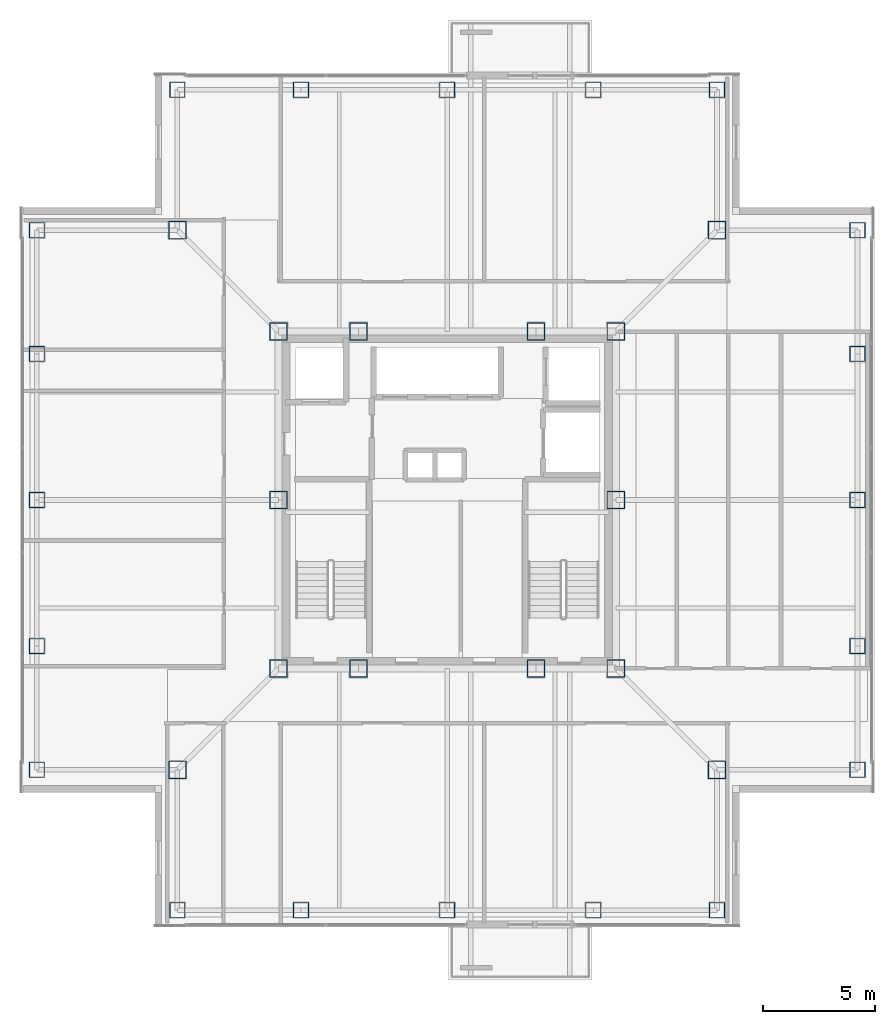
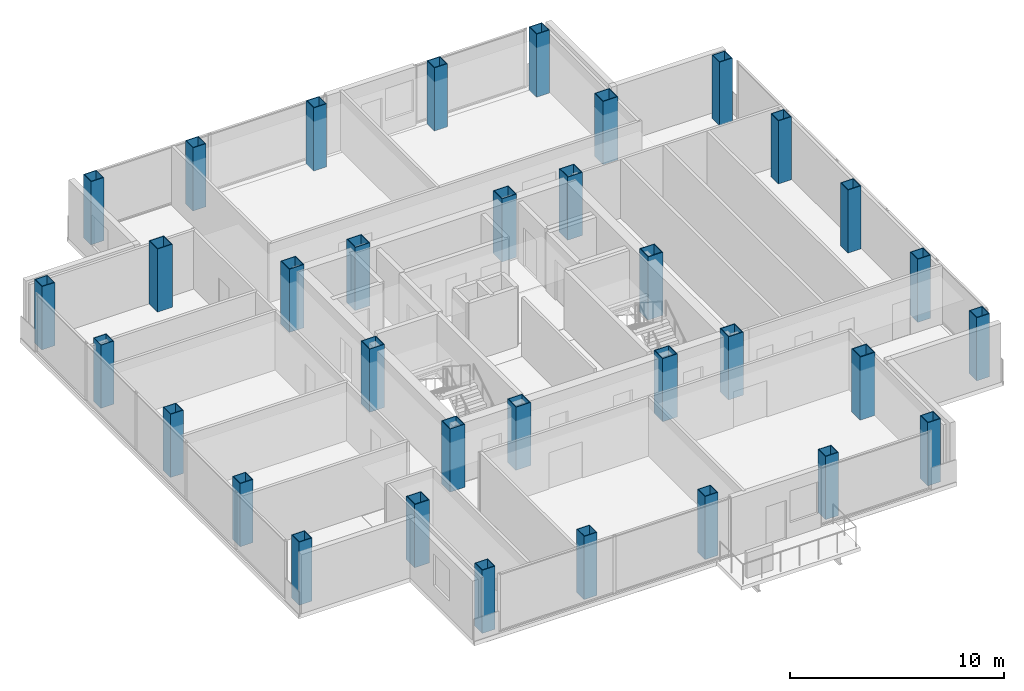
# One storey, part 1 of 15: 34 columns.
"""IFC4 building model written with IfcOpenShell, lengths in metres."""

from ifc_helpers import new_model, si_unit, direction, frame, origin, origin_2d, place, context, subcontext, project, spatial, hollow_rectangle, extrude, material, material_profile, profile_set, type_object, element, save


model = new_model("IFC4")

# Units and contexts
model_context = context("Model", 3, precision=1e-05, world=origin(), true_north=direction((0.0, 1.0)))
body_context = subcontext(model_context, "Body", "Model", "MODEL_VIEW")
ifc_project = project(units=[si_unit("LENGTHUNIT", "METRE"), si_unit("AREAUNIT", "SQUARE_METRE"), si_unit("VOLUMEUNIT", "CUBIC_METRE"), si_unit("PLANEANGLEUNIT", "RADIAN"), si_unit("MASSUNIT", "GRAM", prefix="KILO")], contexts=[model_context])

# Site, building, storey
site_placement = place(None, origin())
site = spatial("IfcSite", under=ifc_project, at=site_placement, CompositionType="ELEMENT")
building_placement = place(site_placement, origin())
building = spatial("IfcBuilding", under=site, at=building_placement, Name="Trevonay Congress Spire", CompositionType="ELEMENT")
storey_placement = place(building_placement, frame((0.0, 0.0, 275.60009765625)))
storey = spatial("IfcBuildingStorey", under=building, at=storey_placement, Name="L72", CompositionType="ELEMENT", Elevation=275.60009765625)

# Columns
ifc_material = material(Name="Steel ASTM A572 Grade 50", Category="steel")
ifc_material_profile_1 = material_profile(ifc_material, hollow_rectangle(XDim=0.800048828125, YDim=0.800048828125, WallThickness=0.0400390625, at=origin_2d()), Name="BOX 800x800x40")
ifc_profile_set_1 = profile_set([ifc_material_profile_1], Name="Steel ASTM A572 Grade 50")
column_type_1 = type_object("IfcColumnType", Name="COL-CORE-BOX800", PredefinedType="COLUMN", material=ifc_profile_set_1)
for number, where, z_axis, x_axis, name in (
    (1, (-7.5, -7.5, 0.0), (0.0, 0.0, 1.0), (1.0, 0.0, 0.0), "L72 column C05 at CC-SW"),
    (2, (-3.949951171875, -7.5, 0.0), (0.0, 0.0, 1.0), (1.0, 0.0, 0.0), "L72 column C05 at CC-SMW"),
    (3, (3.949951171875, -7.5, 0.0), (0.0, 0.0, 1.0), (1.0, 0.0, 0.0), "L72 column C05 at CC-SME"),
    (4, (7.5, -7.5, 0.0), (0.0, 0.0, 1.0), (1.0, 0.0, 0.0), "L72 column C05 at CC-SE"),
    (5, (7.5, 0.0, 0.0), (0.0, 0.0, 1.0), (1.0, 0.0, 0.0), "L72 column C05 at CC-E"),
    (6, (7.5, 7.5, 0.0), (0.0, 0.0, 1.0), (1.0, 0.0, 0.0), "L72 column C05 at CC-NE"),
    (7, (3.949951171875, 7.5, 0.0), (0.0, 0.0, 1.0), (1.0, 0.0, 0.0), "L72 column C05 at CC-NME"),
    (8, (-3.949951171875, 7.5, 0.0), (0.0, 0.0, 1.0), (1.0, 0.0, 0.0), "L72 column C05 at CC-NMW"),
    (9, (-7.5, 7.5, 0.0), (0.0, 0.0, 1.0), (1.0, 0.0, 0.0), "L72 column C05 at CC-NW"),
    (10, (-7.5, 0.0, 0.0), (0.0, 0.0, 1.0), (1.0, 0.0, 0.0), "L72 column C05 at CC-W"),
):
    element("IfcColumn", number, at=place(storey_placement, frame(where, z_axis=z_axis, x_axis=x_axis)), inside=storey, type_object=column_type_1, Name=name, PredefinedType="COLUMN", context=body_context, shape_type="SweptSolid", body=[
        extrude(hollow_rectangle(XDim=0.800048828125, YDim=0.800048828125, WallThickness=0.0400390625, at=origin_2d()), origin(), (0.0, 0.0, 1.0), 3.599853515625),
    ])
ifc_material_profile_2 = material_profile(ifc_material, hollow_rectangle(XDim=0.699951171875, YDim=0.699951171875, WallThickness=0.034912109375, at=origin_2d()), Name="BOX 700x700x35")
ifc_profile_set_2 = profile_set([ifc_material_profile_2], Name="Steel ASTM A572 Grade 50")
column_type_2 = type_object("IfcColumnType", Name="COL-TUBE-BOX700", PredefinedType="COLUMN", material=ifc_profile_set_2)
for number, where, z_axis, x_axis, name in (
    (11, (-12.0, -18.25, 0.0), (0.0, 0.0, 1.0), (1.0, 0.0, 0.0), "L72 column C17 at TS-1"),
    (12, (-12.0, 18.25, 0.0), (0.0, 0.0, 1.0), (1.0, 0.0, 0.0), "L72 column C17 at TN-1"),
    (13, (-18.25, -12.0, 0.0), (0.0, 0.0, 1.0), (1.0, 0.0, 0.0), "L72 column C17 at TW-1"),
    (14, (18.25, -12.0, 0.0), (0.0, 0.0, 1.0), (1.0, 0.0, 0.0), "L72 column C17 at TE-1"),
    (15, (-6.5, -18.25, 0.0), (0.0, 0.0, 1.0), (1.0, 0.0, 0.0), "L72 column C17 at TS-2"),
    (16, (-6.5, 18.25, 0.0), (0.0, 0.0, 1.0), (1.0, 0.0, 0.0), "L72 column C17 at TN-2"),
    (17, (-18.25, -6.5, 0.0), (0.0, 0.0, 1.0), (1.0, 0.0, 0.0), "L72 column C17 at TW-2"),
    (18, (18.25, -6.5, 0.0), (0.0, 0.0, 1.0), (1.0, 0.0, 0.0), "L72 column C17 at TE-2"),
    (19, (0.0, -18.25, 0.0), (0.0, 0.0, 1.0), (1.0, 0.0, 0.0), "L72 column C17 at TS-3"),
    (20, (0.0, 18.25, 0.0), (0.0, 0.0, 1.0), (1.0, 0.0, 0.0), "L72 column C17 at TN-3"),
    (21, (-18.25, 0.0, 0.0), (0.0, 0.0, 1.0), (1.0, 0.0, 0.0), "L72 column C17 at TW-3"),
    (22, (18.25, 0.0, 0.0), (0.0, 0.0, 1.0), (1.0, 0.0, 0.0), "L72 column C17 at TE-3"),
    (23, (6.5, -18.25, 0.0), (0.0, 0.0, 1.0), (1.0, 0.0, 0.0), "L72 column C17 at TS-4"),
    (24, (6.5, 18.25, 0.0), (0.0, 0.0, 1.0), (1.0, 0.0, 0.0), "L72 column C17 at TN-4"),
    (25, (-18.25, 6.5, 0.0), (0.0, 0.0, 1.0), (1.0, 0.0, 0.0), "L72 column C17 at TW-4"),
    (26, (18.25, 6.5, 0.0), (0.0, 0.0, 1.0), (1.0, 0.0, 0.0), "L72 column C17 at TE-4"),
    (27, (12.0, -18.25, 0.0), (0.0, 0.0, 1.0), (1.0, 0.0, 0.0), "L72 column C17 at TS-5"),
    (28, (12.0, 18.25, 0.0), (0.0, 0.0, 1.0), (1.0, 0.0, 0.0), "L72 column C17 at TN-5"),
    (29, (-18.25, 12.0, 0.0), (0.0, 0.0, 1.0), (1.0, 0.0, 0.0), "L72 column C17 at TW-5"),
    (30, (18.25, 12.0, 0.0), (0.0, 0.0, 1.0), (1.0, 0.0, 0.0), "L72 column C17 at TE-5"),
):
    element("IfcColumn", number, at=place(storey_placement, frame(where, z_axis=z_axis, x_axis=x_axis)), inside=storey, type_object=column_type_2, Name=name, PredefinedType="COLUMN", context=body_context, shape_type="SweptSolid", body=[
        extrude(hollow_rectangle(XDim=0.699951171875, YDim=0.699951171875, WallThickness=0.034912109375, at=origin_2d()), origin(), (0.0, 0.0, 1.0), 3.599853515625),
    ])
ifc_material_profile_3 = material_profile(ifc_material, hollow_rectangle(XDim=0.800048828125, YDim=0.800048828125, WallThickness=0.0400390625, at=origin_2d()), Name="BOX 800x800x40")
ifc_profile_set_3 = profile_set([ifc_material_profile_3], Name="Steel ASTM A572 Grade 50")
column_type_3 = type_object("IfcColumnType", Name="COL-TUBE-BOX800", PredefinedType="COLUMN", material=ifc_profile_set_3)
for number, where, z_axis, x_axis, name in (
    (31, (-12.0, -12.0, 0.0), (0.0, 0.0, 1.0), (1.0, 0.0, 0.0), "L72 column C16 at NC-SW"),
    (32, (12.0, -12.0, 0.0), (0.0, 0.0, 1.0), (1.0, 0.0, 0.0), "L72 column C16 at NC-SE"),
    (33, (12.0, 12.0, 0.0), (0.0, 0.0, 1.0), (1.0, 0.0, 0.0), "L72 column C16 at NC-NE"),
    (34, (-12.0, 12.0, 0.0), (0.0, 0.0, 1.0), (1.0, 0.0, 0.0), "L72 column C16 at NC-NW"),
):
    element("IfcColumn", number, at=place(storey_placement, frame(where, z_axis=z_axis, x_axis=x_axis)), inside=storey, type_object=column_type_3, Name=name, PredefinedType="COLUMN", context=body_context, shape_type="SweptSolid", body=[
        extrude(hollow_rectangle(XDim=0.800048828125, YDim=0.800048828125, WallThickness=0.0400390625, at=origin_2d()), origin(), (0.0, 0.0, 1.0), 3.599853515625),
    ])

save(model, "model.ifc")
